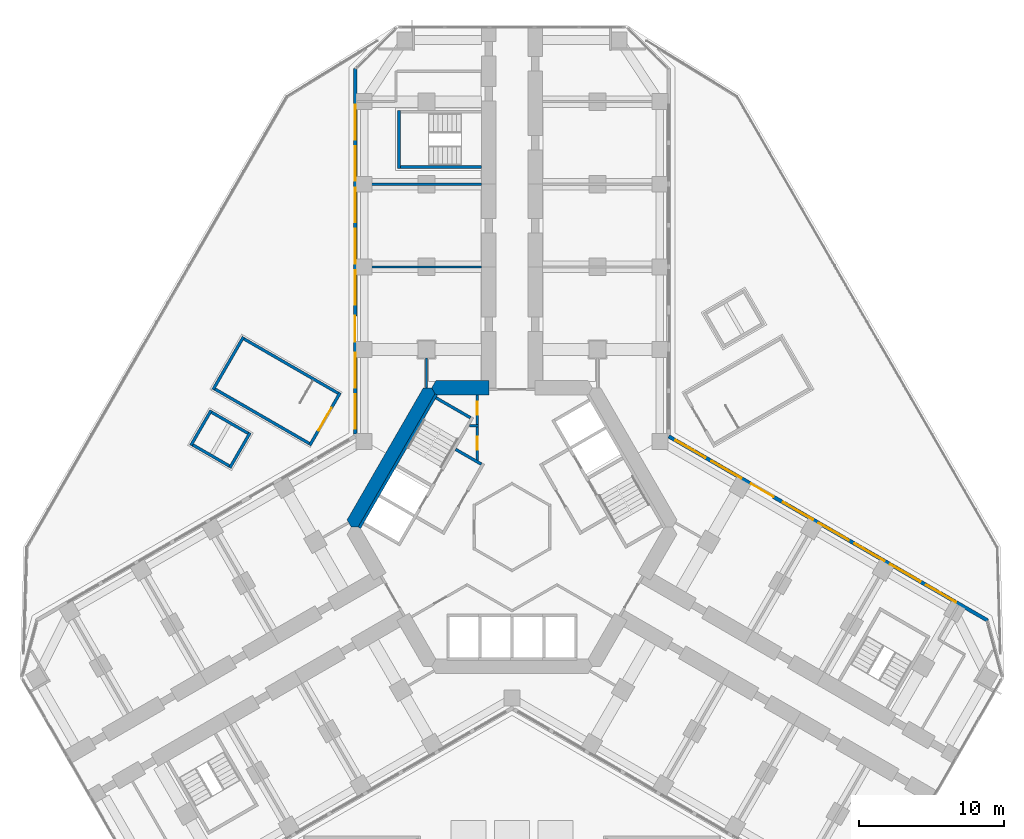
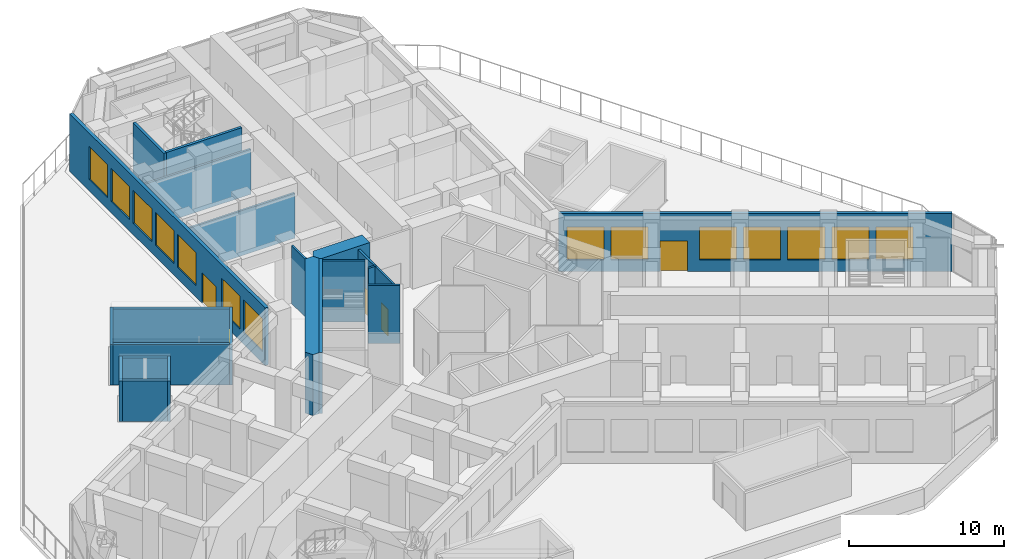
# One storey, part 13 of 18: 22 walls, 14 windows, 5 doors, 19 openings.
"""IFC4 building model written with IfcOpenShell, lengths in metres."""

from ifc_helpers import new_model, si_unit, direction, frame, frame_2d, origin, place, context, subcontext, project, spatial, polyline, rectangle, outline, extrude, material, layer, layer_set, type_object, element, fill, save


model = new_model("IFC4")

# Units and contexts
model_context = context("Model", 3, precision=1e-05, world=origin(), true_north=direction((0.0, 1.0)))
body_context = subcontext(model_context, "Body", "Model", "MODEL_VIEW")
ifc_project = project(units=[si_unit("LENGTHUNIT", "METRE"), si_unit("AREAUNIT", "SQUARE_METRE"), si_unit("VOLUMEUNIT", "CUBIC_METRE"), si_unit("PLANEANGLEUNIT", "RADIAN"), si_unit("MASSUNIT", "GRAM", prefix="KILO")], contexts=[model_context])

# Site, building, storey
site_placement = place(None, origin())
site = spatial("IfcSite", under=ifc_project, at=site_placement, CompositionType="ELEMENT")
building_placement = place(site_placement, origin())
building = spatial("IfcBuilding", under=site, at=building_placement, Name="Kosmar Iwan School Tower", CompositionType="ELEMENT")
storey_placement = place(building_placement, frame((0.0, 0.0, 20.39990234375)))
storey = spatial("IfcBuildingStorey", under=building, at=storey_placement, Name="L04", CompositionType="ELEMENT", Elevation=20.39990234375)

# Wall, openings, doors
ifc_material_1 = material(Name="Gypsum board on steel studs, fire-rated", Category="steel")
ifc_layer_1 = layer(ifc_material_1, 0.14990234375)
ifc_layer_set_1 = layer_set([ifc_layer_1], Name="Core room partition 150")
wall_type_1 = type_object("IfcWallType", Name="Core room partition 150", PredefinedType="PARTITIONING", material=ifc_layer_set_1)
wall_1_placement = place(storey_placement, frame((-2.39990234375, 9.094970703125, 0.0), z_axis=(0.0, 0.0, 1.0), x_axis=(0.0, -1.0, 0.0)))
wall_1 = element("IfcWall", 1, at=wall_1_placement, inside=storey, type_object=wall_type_1, Name="Core room partition L04-CW1", PredefinedType="PARTITIONING", context=body_context, shape_type="SweptSolid", body=[
    extrude(rectangle(XDim=4.564208984375, YDim=0.14990234375, at=frame_2d((2.2822265625, 0.0))), origin(), (0.0, 0.0, 1.0), 4.550048828125),
])
opening_1_placement = place(wall_1_placement, frame((0.455078125, 0.0, 0.0)))
opening_1 = element("IfcOpeningElement", 2, at=opening_1_placement, cuts=wall_1, Name="Opening D14", PredefinedType="OPENING", context=body_context, shape_type="SweptSolid", body=[
    extrude(rectangle(XDim=0.89990234375, YDim=2.10009765625, at=frame_2d((0.449951171875, 1.050048828125))), frame((0.0, 0.0869140625, 0.0), z_axis=(0.0, -1.0, 0.0), x_axis=(1.0, 0.0, 0.0)), (0.0, 0.0, 1.0), 0.173828125),
])
opening_2_placement = place(wall_1_placement, frame((2.85498046875, 0.0, 0.0)))
opening_2 = element("IfcOpeningElement", 3, at=opening_2_placement, cuts=wall_1, Name="Opening D14", PredefinedType="OPENING", context=body_context, shape_type="SweptSolid", body=[
    extrude(rectangle(XDim=0.89990234375, YDim=2.10009765625, at=frame_2d((0.449951171875, 1.050048828125))), frame((0.0, 0.0869140625, 0.0), z_axis=(0.0, -1.0, 0.0), x_axis=(1.0, 0.0, 0.0)), (0.0, 0.0, 1.0), 0.173828125),
])
ifc_material_2 = material(Name="Timber fire door in steel frame", Category="steel")
door_type_1 = type_object("IfcDoorType", Name="Core room door 900x2100", OperationType="SINGLE_SWING_LEFT", PredefinedType="DOOR", material=ifc_material_2)
door_1_placement = place(opening_1_placement, origin())
door_1 = element("IfcDoor", 4, at=door_1_placement, inside=storey, type_object=door_type_1, Name="Electrical riser and switch room door L04 1", OperationType="SINGLE_SWING_LEFT", OverallHeight=2.10009765625, OverallWidth=0.89990234375, PredefinedType="DOOR", context=body_context, shape_type="SweptSolid", body=[
    extrude(rectangle(XDim=0.89990234375, YDim=2.10009765625, at=frame_2d((0.449951171875, 1.050048828125))), frame((0.0, 0.02490234375, 0.0), z_axis=(0.0, -1.0, 0.0), x_axis=(1.0, 0.0, 0.0)), (0.0, 0.0, 1.0), 0.050048828125),
])
fill(opening_1, door_1)
door_2_placement = place(opening_2_placement, origin())
door_2 = element("IfcDoor", 5, at=door_2_placement, inside=storey, type_object=door_type_1, Name="Plumbing and wet riser door L04 2", OperationType="SINGLE_SWING_RIGHT", OverallHeight=2.10009765625, OverallWidth=0.89990234375, PredefinedType="DOOR", context=body_context, shape_type="SweptSolid", body=[
    extrude(rectangle(XDim=0.89990234375, YDim=2.10009765625, at=frame_2d((0.449951171875, 1.050048828125))), frame((0.0, 0.02490234375, 0.0), z_axis=(0.0, -1.0, 0.0), x_axis=(1.0, 0.0, 0.0)), (0.0, 0.0, 1.0), 0.050048828125),
])
fill(opening_2, door_2)

# Walls
wall_2_placement = place(storey_placement, frame((-2.324951171875, 6.985107421875, 0.0), z_axis=(0.0, 0.0, 1.0), x_axis=(-1.0, 0.0, 0.0)))
element("IfcWall", 6, at=wall_2_placement, inside=storey, type_object=wall_type_1, Name="Core room partition L04-CW2", PredefinedType="PARTITIONING", context=body_context, shape_type="SweptSolid", body=[
    extrude(rectangle(XDim=0.623779296875, YDim=0.14990234375, at=frame_2d((0.31201171875, 0.0))), origin(), (0.0, 0.0, 1.0), 4.550048828125),
])
ifc_material_3 = material(Name="Concrete C50/60", Category="concrete")
ifc_layer_2 = layer(ifc_material_3, 1.0)
ifc_layer_set_2 = layer_set([ifc_layer_2], Name="Core wall 1000")
wall_type_2 = type_object("IfcWallType", Name="Core wall 1000", PredefinedType="SHEAR", material=ifc_layer_set_2)
wall_3_placement = place(storey_placement, origin())
element("IfcWall", 7, at=wall_3_placement, inside=storey, type_object=wall_type_2, Name="Core wall F090b", PredefinedType="SHEAR", context=body_context, shape_type="SweptSolid", body=[
    extrude(outline(polyline([(-5.25390625, 9.10009765625), (-1.60009765625, 9.10009765625), (-1.60009765625, 10.10009765625), (-5.25390625, 10.10009765625), (-5.54248046875, 9.60009765625), (-5.25390625, 9.10009765625)])), origin(), (0.0, 0.0, 1.0), 4.800048828125),
])
wall_4_placement = place(storey_placement, origin())
element("IfcWall", 8, at=wall_4_placement, inside=storey, type_object=wall_type_2, Name="Core wall F150", PredefinedType="SHEAR", context=body_context, shape_type="SweptSolid", body=[
    extrude(outline(polyline([(-11.085205078125, 0.0), (-10.5078125, 0.0), (-5.25390625, 9.10009765625), (-5.54248046875, 9.60009765625), (-6.119873046875, 9.60009765625), (-11.373779296875, 0.5), (-11.085205078125, 0.0)])), origin(), (0.0, 0.0, 1.0), 4.800048828125),
])
ifc_material_4 = material(Name="Concrete C35/45", Category="concrete")
ifc_layer_3 = layer(ifc_material_4, 0.199951171875)
ifc_layer_set_3 = layer_set([ifc_layer_3], Name="Escape stair wall 200")
wall_type_3 = type_object("IfcWallType", Name="Escape stair wall 200", PredefinedType="SHEAR", material=ifc_layer_set_3)
wall_5_placement = place(storey_placement, frame((-2.10009765625, 24.85009765625, 0.0), z_axis=(0.0, 0.0, 1.0), x_axis=(-1.0, 0.0, 0.0)))
element("IfcWall", 9, at=wall_5_placement, inside=storey, type_object=wall_type_3, Name="Stair WS1 wall", PredefinedType="SHEAR", context=body_context, shape_type="SweptSolid", body=[
    extrude(rectangle(XDim=5.7998046875, YDim=0.199951171875, at=frame_2d((2.89990234375, 0.0))), origin(), (0.0, 0.0, 1.0), 4.530029296875),
])
wall_6_placement = place(storey_placement, frame((-7.800048828125, 24.75, 0.0), z_axis=(0.0, 0.0, 1.0), x_axis=(0.0, 1.0, 0.0)))
element("IfcWall", 10, at=wall_6_placement, inside=storey, type_object=wall_type_3, Name="Stair WS1 wall", PredefinedType="SHEAR", context=body_context, shape_type="SweptSolid", body=[
    extrude(rectangle(XDim=4.0, YDim=0.199951171875, at=frame_2d((2.0, 0.0))), origin(), (0.0, 0.0, 1.0), 4.530029296875),
])

# Wall, openings, door, windows
ifc_material_5 = material(Name="Black aluminium rainscreen on insulated framing", Category="aluminium")
ifc_layer_4 = layer(ifc_material_5, 0.25)
ifc_layer_set_4 = layer_set([ifc_layer_4], Name="External wall rainscreen 250")
wall_type_4 = type_object("IfcWallType", Name="External wall rainscreen 250", PredefinedType="SOLIDWALL", material=ifc_layer_set_4)
wall_7_placement = place(storey_placement, frame((10.8125, 6.257080078125, 0.0), z_axis=(0.0, 0.0, 1.0), x_axis=(0.86602648281, -0.499998131069, 0.0)))
wall_7 = element("IfcWall", 11, at=wall_7_placement, inside=storey, type_object=wall_type_4, Name="External wall CL L04", PredefinedType="SOLIDWALL", context=body_context, shape_type="SweptSolid", body=[
    extrude(rectangle(XDim=25.39990234375, YDim=0.25, at=frame_2d((12.699951171875, 0.0))), origin(), (0.0, 0.0, 1.0), 4.550048828125),
])
opening_3_placement = place(wall_7_placement, frame((0.53955078125, 0.0, 0.89990234375)))
opening_3 = element("IfcOpeningElement", 12, at=opening_3_placement, cuts=wall_7, Name="Opening W2", PredefinedType="OPENING", context=body_context, shape_type="SweptSolid", body=[
    extrude(rectangle(XDim=2.39990234375, YDim=2.60009765625, at=frame_2d((1.199951171875, 1.300048828125))), frame((0.0, 0.136962890625, 0.0), z_axis=(0.0, -1.0, 0.0), x_axis=(1.0, 0.0, 0.0)), (0.0, 0.0, 1.0), 0.27392578125),
])
opening_4_placement = place(wall_7_placement, frame((3.3896484375, 0.0, 0.89990234375)))
opening_4 = element("IfcOpeningElement", 13, at=opening_4_placement, cuts=wall_7, Name="Opening W2", PredefinedType="OPENING", context=body_context, shape_type="SweptSolid", body=[
    extrude(rectangle(XDim=2.39990234375, YDim=2.60009765625, at=frame_2d((1.199951171875, 1.300048828125))), frame((0.0, 0.136962890625, 0.0), z_axis=(0.0, -1.0, 0.0), x_axis=(1.0, 0.0, 0.0)), (0.0, 0.0, 1.0), 0.27392578125),
])
opening_5_placement = place(wall_7_placement, frame((6.53955078125, 0.0, 0.0)))
opening_5 = element("IfcOpeningElement", 14, at=opening_5_placement, cuts=wall_7, Name="Opening D12", PredefinedType="OPENING", context=body_context, shape_type="SweptSolid", body=[
    extrude(rectangle(XDim=1.800048828125, YDim=2.39990234375, at=frame_2d((0.89990234375, 1.199951171875))), frame((0.0, 0.136962890625, 0.0), z_axis=(0.0, -1.0, 0.0), x_axis=(1.0, 0.0, 0.0)), (0.0, 0.0, 1.0), 0.27392578125),
])
opening_6_placement = place(wall_7_placement, frame((9.089599609375, 0.0, 0.89990234375)))
opening_6 = element("IfcOpeningElement", 15, at=opening_6_placement, cuts=wall_7, Name="Opening W2", PredefinedType="OPENING", context=body_context, shape_type="SweptSolid", body=[
    extrude(rectangle(XDim=2.39990234375, YDim=2.60009765625, at=frame_2d((1.199951171875, 1.300048828125))), frame((0.0, 0.136962890625, 0.0), z_axis=(0.0, -1.0, 0.0), x_axis=(1.0, 0.0, 0.0)), (0.0, 0.0, 1.0), 0.27392578125),
])
opening_7_placement = place(wall_7_placement, frame((11.939697265625, 0.0, 0.89990234375)))
opening_7 = element("IfcOpeningElement", 16, at=opening_7_placement, cuts=wall_7, Name="Opening W2", PredefinedType="OPENING", context=body_context, shape_type="SweptSolid", body=[
    extrude(rectangle(XDim=2.39990234375, YDim=2.60009765625, at=frame_2d((1.199951171875, 1.300048828125))), frame((0.0, 0.136962890625, 0.0), z_axis=(0.0, -1.0, 0.0), x_axis=(1.0, 0.0, 0.0)), (0.0, 0.0, 1.0), 0.27392578125),
])
opening_8_placement = place(wall_7_placement, frame((14.78955078125, 0.0, 0.89990234375)))
opening_8 = element("IfcOpeningElement", 17, at=opening_8_placement, cuts=wall_7, Name="Opening W2", PredefinedType="OPENING", context=body_context, shape_type="SweptSolid", body=[
    extrude(rectangle(XDim=2.39990234375, YDim=2.60009765625, at=frame_2d((1.199951171875, 1.300048828125))), frame((0.0, 0.136962890625, 0.0), z_axis=(0.0, -1.0, 0.0), x_axis=(1.0, 0.0, 0.0)), (0.0, 0.0, 1.0), 0.27392578125),
])
opening_9_placement = place(wall_7_placement, frame((17.6396484375, 0.0, 0.89990234375)))
opening_9 = element("IfcOpeningElement", 18, at=opening_9_placement, cuts=wall_7, Name="Opening W2", PredefinedType="OPENING", context=body_context, shape_type="SweptSolid", body=[
    extrude(rectangle(XDim=2.39990234375, YDim=2.60009765625, at=frame_2d((1.199951171875, 1.300048828125))), frame((0.0, 0.136962890625, 0.0), z_axis=(0.0, -1.0, 0.0), x_axis=(1.0, 0.0, 0.0)), (0.0, 0.0, 1.0), 0.27392578125),
])
opening_10_placement = place(wall_7_placement, frame((20.48974609375, 0.0, 0.89990234375)))
opening_10 = element("IfcOpeningElement", 19, at=opening_10_placement, cuts=wall_7, Name="Opening W2", PredefinedType="OPENING", context=body_context, shape_type="SweptSolid", body=[
    extrude(rectangle(XDim=2.39990234375, YDim=2.60009765625, at=frame_2d((1.199951171875, 1.300048828125))), frame((0.0, 0.136962890625, 0.0), z_axis=(0.0, -1.0, 0.0), x_axis=(1.0, 0.0, 0.0)), (0.0, 0.0, 1.0), 0.27392578125),
])
ifc_material_6 = material(Name="Black steel framed glazed door", Category="steel")
door_type_2 = type_object("IfcDoorType", Name="Deck door pair 1800x2400", OperationType="DOUBLE_DOOR_SINGLE_SWING", PredefinedType="DOOR", material=ifc_material_6)
door_3_placement = place(opening_5_placement, origin())
door_3 = element("IfcDoor", 20, at=door_3_placement, inside=storey, type_object=door_type_2, Name="Play deck door CL", OperationType="DOUBLE_DOOR_SINGLE_SWING", OverallHeight=2.39990234375, OverallWidth=1.800048828125, PredefinedType="DOOR", context=body_context, shape_type="SweptSolid", body=[
    extrude(rectangle(XDim=1.800048828125, YDim=2.39990234375, at=frame_2d((0.89990234375, 1.199951171875))), frame((0.0, 0.02490234375, 0.0), z_axis=(0.0, -1.0, 0.0), x_axis=(1.0, 0.0, 0.0)), (0.0, 0.0, 1.0), 0.050048828125),
])
fill(opening_5, door_3)
ifc_material_7 = material(Name="Black aluminium frame with dark triple glazing", Category="aluminium")
window_type = type_object("IfcWindowType", Name="Window 2400x2600", PartitioningType="SINGLE_PANEL", PredefinedType="WINDOW", material=ifc_material_7)
window_1_placement = place(opening_3_placement, origin())
window_1 = element("IfcWindow", 21, at=window_1_placement, inside=storey, type_object=window_type, Name="Window CL L04 -1", OverallHeight=2.60009765625, OverallWidth=2.39990234375, PartitioningType="SINGLE_PANEL", PredefinedType="WINDOW", context=body_context, shape_type="SweptSolid", body=[
    extrude(rectangle(XDim=2.39990234375, YDim=2.60009765625, at=frame_2d((1.199951171875, 1.300048828125))), frame((0.0, 0.030029296875, 0.0), z_axis=(0.0, -1.0, 0.0), x_axis=(1.0, 0.0, 0.0)), (0.0, 0.0, 1.0), 0.06005859375),
])
fill(opening_3, window_1)
window_2_placement = place(opening_4_placement, origin())
window_2 = element("IfcWindow", 22, at=window_2_placement, inside=storey, type_object=window_type, Name="Window CL L04 0", OverallHeight=2.60009765625, OverallWidth=2.39990234375, PartitioningType="SINGLE_PANEL", PredefinedType="WINDOW", context=body_context, shape_type="SweptSolid", body=[
    extrude(rectangle(XDim=2.39990234375, YDim=2.60009765625, at=frame_2d((1.199951171875, 1.300048828125))), frame((0.0, 0.030029296875, 0.0), z_axis=(0.0, -1.0, 0.0), x_axis=(1.0, 0.0, 0.0)), (0.0, 0.0, 1.0), 0.06005859375),
])
fill(opening_4, window_2)
window_3_placement = place(opening_6_placement, origin())
window_3 = element("IfcWindow", 23, at=window_3_placement, inside=storey, type_object=window_type, Name="Window CL L04 2", OverallHeight=2.60009765625, OverallWidth=2.39990234375, PartitioningType="SINGLE_PANEL", PredefinedType="WINDOW", context=body_context, shape_type="SweptSolid", body=[
    extrude(rectangle(XDim=2.39990234375, YDim=2.60009765625, at=frame_2d((1.199951171875, 1.300048828125))), frame((0.0, 0.030029296875, 0.0), z_axis=(0.0, -1.0, 0.0), x_axis=(1.0, 0.0, 0.0)), (0.0, 0.0, 1.0), 0.06005859375),
])
fill(opening_6, window_3)
window_4_placement = place(opening_7_placement, origin())
window_4 = element("IfcWindow", 24, at=window_4_placement, inside=storey, type_object=window_type, Name="Window CL L04 3", OverallHeight=2.60009765625, OverallWidth=2.39990234375, PartitioningType="SINGLE_PANEL", PredefinedType="WINDOW", context=body_context, shape_type="SweptSolid", body=[
    extrude(rectangle(XDim=2.39990234375, YDim=2.60009765625, at=frame_2d((1.199951171875, 1.300048828125))), frame((0.0, 0.030029296875, 0.0), z_axis=(0.0, -1.0, 0.0), x_axis=(1.0, 0.0, 0.0)), (0.0, 0.0, 1.0), 0.06005859375),
])
fill(opening_7, window_4)
window_5_placement = place(opening_8_placement, origin())
window_5 = element("IfcWindow", 25, at=window_5_placement, inside=storey, type_object=window_type, Name="Window CL L04 4", OverallHeight=2.60009765625, OverallWidth=2.39990234375, PartitioningType="SINGLE_PANEL", PredefinedType="WINDOW", context=body_context, shape_type="SweptSolid", body=[
    extrude(rectangle(XDim=2.39990234375, YDim=2.60009765625, at=frame_2d((1.199951171875, 1.300048828125))), frame((0.0, 0.030029296875, 0.0), z_axis=(0.0, -1.0, 0.0), x_axis=(1.0, 0.0, 0.0)), (0.0, 0.0, 1.0), 0.06005859375),
])
fill(opening_8, window_5)
window_6_placement = place(opening_9_placement, origin())
window_6 = element("IfcWindow", 26, at=window_6_placement, inside=storey, type_object=window_type, Name="Window CL L04 5", OverallHeight=2.60009765625, OverallWidth=2.39990234375, PartitioningType="SINGLE_PANEL", PredefinedType="WINDOW", context=body_context, shape_type="SweptSolid", body=[
    extrude(rectangle(XDim=2.39990234375, YDim=2.60009765625, at=frame_2d((1.199951171875, 1.300048828125))), frame((0.0, 0.030029296875, 0.0), z_axis=(0.0, -1.0, 0.0), x_axis=(1.0, 0.0, 0.0)), (0.0, 0.0, 1.0), 0.06005859375),
])
fill(opening_9, window_6)
window_7_placement = place(opening_10_placement, origin())
window_7 = element("IfcWindow", 27, at=window_7_placement, inside=storey, type_object=window_type, Name="Window CL L04 6", OverallHeight=2.60009765625, OverallWidth=2.39990234375, PartitioningType="SINGLE_PANEL", PredefinedType="WINDOW", context=body_context, shape_type="SweptSolid", body=[
    extrude(rectangle(XDim=2.39990234375, YDim=2.60009765625, at=frame_2d((1.199951171875, 1.300048828125))), frame((0.0, 0.030029296875, 0.0), z_axis=(0.0, -1.0, 0.0), x_axis=(1.0, 0.0, 0.0)), (0.0, 0.0, 1.0), 0.06005859375),
])
fill(opening_10, window_7)

wall_8_placement = place(storey_placement, frame((-10.824951171875, 6.408935546875, 0.0), z_axis=(0.0, 0.0, 1.0), x_axis=(0.0, 1.0, 0.0)))
wall_8 = element("IfcWall", 28, at=wall_8_placement, inside=storey, type_object=wall_type_4, Name="External wall AL L04", PredefinedType="SOLIDWALL", context=body_context, shape_type="SweptSolid", body=[
    extrude(rectangle(XDim=25.226318359375, YDim=0.25, at=frame_2d((12.61328125, 0.0))), origin(), (0.0, 0.0, 1.0), 4.550048828125),
])
opening_11_placement = place(wall_8_placement, frame((0.365966796875, 0.0, 0.89990234375)))
opening_11 = element("IfcOpeningElement", 29, at=opening_11_placement, cuts=wall_8, Name="Opening W2", PredefinedType="OPENING", context=body_context, shape_type="SweptSolid", body=[
    extrude(rectangle(XDim=2.39990234375, YDim=2.60009765625, at=frame_2d((1.199951171875, 1.300048828125))), frame((0.0, 0.136962890625, 0.0), z_axis=(0.0, -1.0, 0.0), x_axis=(1.0, 0.0, 0.0)), (0.0, 0.0, 1.0), 0.27392578125),
])
opening_12_placement = place(wall_8_placement, frame((3.216064453125, 0.0, 0.89990234375)))
opening_12 = element("IfcOpeningElement", 30, at=opening_12_placement, cuts=wall_8, Name="Opening W2", PredefinedType="OPENING", context=body_context, shape_type="SweptSolid", body=[
    extrude(rectangle(XDim=2.39990234375, YDim=2.60009765625, at=frame_2d((1.199951171875, 1.300048828125))), frame((0.0, 0.136962890625, 0.0), z_axis=(0.0, -1.0, 0.0), x_axis=(1.0, 0.0, 0.0)), (0.0, 0.0, 1.0), 0.27392578125),
])
opening_13_placement = place(wall_8_placement, frame((6.365966796875, 0.0, 0.0)))
opening_13 = element("IfcOpeningElement", 31, at=opening_13_placement, cuts=wall_8, Name="Opening D12", PredefinedType="OPENING", context=body_context, shape_type="SweptSolid", body=[
    extrude(rectangle(XDim=1.800048828125, YDim=2.39990234375, at=frame_2d((0.89990234375, 1.199951171875))), frame((0.0, 0.136962890625, 0.0), z_axis=(0.0, -1.0, 0.0), x_axis=(1.0, 0.0, 0.0)), (0.0, 0.0, 1.0), 0.27392578125),
])
opening_14_placement = place(wall_8_placement, frame((8.916015625, 0.0, 0.89990234375)))
opening_14 = element("IfcOpeningElement", 32, at=opening_14_placement, cuts=wall_8, Name="Opening W2", PredefinedType="OPENING", context=body_context, shape_type="SweptSolid", body=[
    extrude(rectangle(XDim=2.39990234375, YDim=2.60009765625, at=frame_2d((1.199951171875, 1.300048828125))), frame((0.0, 0.136962890625, 0.0), z_axis=(0.0, -1.0, 0.0), x_axis=(1.0, 0.0, 0.0)), (0.0, 0.0, 1.0), 0.27392578125),
])
opening_15_placement = place(wall_8_placement, frame((11.76611328125, 0.0, 0.89990234375)))
opening_15 = element("IfcOpeningElement", 33, at=opening_15_placement, cuts=wall_8, Name="Opening W2", PredefinedType="OPENING", context=body_context, shape_type="SweptSolid", body=[
    extrude(rectangle(XDim=2.39990234375, YDim=2.60009765625, at=frame_2d((1.199951171875, 1.300048828125))), frame((0.0, 0.136962890625, 0.0), z_axis=(0.0, -1.0, 0.0), x_axis=(1.0, 0.0, 0.0)), (0.0, 0.0, 1.0), 0.27392578125),
])
opening_16_placement = place(wall_8_placement, frame((14.615966796875, 0.0, 0.89990234375)))
opening_16 = element("IfcOpeningElement", 34, at=opening_16_placement, cuts=wall_8, Name="Opening W2", PredefinedType="OPENING", context=body_context, shape_type="SweptSolid", body=[
    extrude(rectangle(XDim=2.39990234375, YDim=2.60009765625, at=frame_2d((1.199951171875, 1.300048828125))), frame((0.0, 0.136962890625, 0.0), z_axis=(0.0, -1.0, 0.0), x_axis=(1.0, 0.0, 0.0)), (0.0, 0.0, 1.0), 0.27392578125),
])
opening_17_placement = place(wall_8_placement, frame((17.466064453125, 0.0, 0.89990234375)))
opening_17 = element("IfcOpeningElement", 35, at=opening_17_placement, cuts=wall_8, Name="Opening W2", PredefinedType="OPENING", context=body_context, shape_type="SweptSolid", body=[
    extrude(rectangle(XDim=2.39990234375, YDim=2.60009765625, at=frame_2d((1.199951171875, 1.300048828125))), frame((0.0, 0.136962890625, 0.0), z_axis=(0.0, -1.0, 0.0), x_axis=(1.0, 0.0, 0.0)), (0.0, 0.0, 1.0), 0.27392578125),
])
opening_18_placement = place(wall_8_placement, frame((20.31591796875, 0.0, 0.89990234375)))
opening_18 = element("IfcOpeningElement", 36, at=opening_18_placement, cuts=wall_8, Name="Opening W2", PredefinedType="OPENING", context=body_context, shape_type="SweptSolid", body=[
    extrude(rectangle(XDim=2.39990234375, YDim=2.60009765625, at=frame_2d((1.199951171875, 1.300048828125))), frame((0.0, 0.136962890625, 0.0), z_axis=(0.0, -1.0, 0.0), x_axis=(1.0, 0.0, 0.0)), (0.0, 0.0, 1.0), 0.27392578125),
])
door_4_placement = place(opening_13_placement, origin())
door_4 = element("IfcDoor", 37, at=door_4_placement, inside=storey, type_object=door_type_2, Name="Play deck door AL", OperationType="DOUBLE_DOOR_SINGLE_SWING", OverallHeight=2.39990234375, OverallWidth=1.800048828125, PredefinedType="DOOR", context=body_context, shape_type="SweptSolid", body=[
    extrude(rectangle(XDim=1.800048828125, YDim=2.39990234375, at=frame_2d((0.89990234375, 1.199951171875))), frame((0.0, 0.02490234375, 0.0), z_axis=(0.0, -1.0, 0.0), x_axis=(1.0, 0.0, 0.0)), (0.0, 0.0, 1.0), 0.050048828125),
])
fill(opening_13, door_4)
window_8_placement = place(opening_11_placement, origin())
window_8 = element("IfcWindow", 38, at=window_8_placement, inside=storey, type_object=window_type, Name="Window AL L04 -1", OverallHeight=2.60009765625, OverallWidth=2.39990234375, PartitioningType="SINGLE_PANEL", PredefinedType="WINDOW", context=body_context, shape_type="SweptSolid", body=[
    extrude(rectangle(XDim=2.39990234375, YDim=2.60009765625, at=frame_2d((1.199951171875, 1.300048828125))), frame((0.0, 0.030029296875, 0.0), z_axis=(0.0, -1.0, 0.0), x_axis=(1.0, 0.0, 0.0)), (0.0, 0.0, 1.0), 0.06005859375),
])
fill(opening_11, window_8)
window_9_placement = place(opening_12_placement, origin())
window_9 = element("IfcWindow", 39, at=window_9_placement, inside=storey, type_object=window_type, Name="Window AL L04 0", OverallHeight=2.60009765625, OverallWidth=2.39990234375, PartitioningType="SINGLE_PANEL", PredefinedType="WINDOW", context=body_context, shape_type="SweptSolid", body=[
    extrude(rectangle(XDim=2.39990234375, YDim=2.60009765625, at=frame_2d((1.199951171875, 1.300048828125))), frame((0.0, 0.030029296875, 0.0), z_axis=(0.0, -1.0, 0.0), x_axis=(1.0, 0.0, 0.0)), (0.0, 0.0, 1.0), 0.06005859375),
])
fill(opening_12, window_9)
window_10_placement = place(opening_14_placement, origin())
window_10 = element("IfcWindow", 40, at=window_10_placement, inside=storey, type_object=window_type, Name="Window AL L04 2", OverallHeight=2.60009765625, OverallWidth=2.39990234375, PartitioningType="SINGLE_PANEL", PredefinedType="WINDOW", context=body_context, shape_type="SweptSolid", body=[
    extrude(rectangle(XDim=2.39990234375, YDim=2.60009765625, at=frame_2d((1.199951171875, 1.300048828125))), frame((0.0, 0.030029296875, 0.0), z_axis=(0.0, -1.0, 0.0), x_axis=(1.0, 0.0, 0.0)), (0.0, 0.0, 1.0), 0.06005859375),
])
fill(opening_14, window_10)
window_11_placement = place(opening_15_placement, origin())
window_11 = element("IfcWindow", 41, at=window_11_placement, inside=storey, type_object=window_type, Name="Window AL L04 3", OverallHeight=2.60009765625, OverallWidth=2.39990234375, PartitioningType="SINGLE_PANEL", PredefinedType="WINDOW", context=body_context, shape_type="SweptSolid", body=[
    extrude(rectangle(XDim=2.39990234375, YDim=2.60009765625, at=frame_2d((1.199951171875, 1.300048828125))), frame((0.0, 0.030029296875, 0.0), z_axis=(0.0, -1.0, 0.0), x_axis=(1.0, 0.0, 0.0)), (0.0, 0.0, 1.0), 0.06005859375),
])
fill(opening_15, window_11)
window_12_placement = place(opening_16_placement, origin())
window_12 = element("IfcWindow", 42, at=window_12_placement, inside=storey, type_object=window_type, Name="Window AL L04 4", OverallHeight=2.60009765625, OverallWidth=2.39990234375, PartitioningType="SINGLE_PANEL", PredefinedType="WINDOW", context=body_context, shape_type="SweptSolid", body=[
    extrude(rectangle(XDim=2.39990234375, YDim=2.60009765625, at=frame_2d((1.199951171875, 1.300048828125))), frame((0.0, 0.030029296875, 0.0), z_axis=(0.0, -1.0, 0.0), x_axis=(1.0, 0.0, 0.0)), (0.0, 0.0, 1.0), 0.06005859375),
])
fill(opening_16, window_12)
window_13_placement = place(opening_17_placement, origin())
window_13 = element("IfcWindow", 43, at=window_13_placement, inside=storey, type_object=window_type, Name="Window AL L04 5", OverallHeight=2.60009765625, OverallWidth=2.39990234375, PartitioningType="SINGLE_PANEL", PredefinedType="WINDOW", context=body_context, shape_type="SweptSolid", body=[
    extrude(rectangle(XDim=2.39990234375, YDim=2.60009765625, at=frame_2d((1.199951171875, 1.300048828125))), frame((0.0, 0.030029296875, 0.0), z_axis=(0.0, -1.0, 0.0), x_axis=(1.0, 0.0, 0.0)), (0.0, 0.0, 1.0), 0.06005859375),
])
fill(opening_17, window_13)
window_14_placement = place(opening_18_placement, origin())
window_14 = element("IfcWindow", 44, at=window_14_placement, inside=storey, type_object=window_type, Name="Window AL L04 6", OverallHeight=2.60009765625, OverallWidth=2.39990234375, PartitioningType="SINGLE_PANEL", PredefinedType="WINDOW", context=body_context, shape_type="SweptSolid", body=[
    extrude(rectangle(XDim=2.39990234375, YDim=2.60009765625, at=frame_2d((1.199951171875, 1.300048828125))), frame((0.0, 0.030029296875, 0.0), z_axis=(0.0, -1.0, 0.0), x_axis=(1.0, 0.0, 0.0)), (0.0, 0.0, 1.0), 0.06005859375),
])
fill(opening_18, window_14)

# Walls
ifc_material_8 = material(Name="Concrete block masonry", Category="masonry")
ifc_layer_5 = layer(ifc_material_8, 0.199951171875)
ifc_layer_set_5 = layer_set([ifc_layer_5], Name="Fire lobby wall 200")
wall_type_5 = type_object("IfcWallType", Name="Fire lobby wall 200", PredefinedType="PARTITIONING", material=ifc_layer_set_5)
wall_9_placement = place(storey_placement, frame((-2.114013671875, 4.33837890625, 0.0), z_axis=(0.0, 0.0, 1.0), x_axis=(-0.866050731258, 0.499956128963, 0.0)))
element("IfcWall", 45, at=wall_9_placement, inside=storey, type_object=wall_type_5, Name="Firefighting lobby wall ST2", PredefinedType="PARTITIONING", context=body_context, shape_type="SweptSolid", body=[
    extrude(rectangle(XDim=2.050048828125, YDim=0.199951171875, at=frame_2d((1.02490234375, 0.0))), origin(), (0.0, 0.0, 1.0), 4.550048828125),
])
ifc_material_9 = material(Name="Concrete C50/60", Category="concrete")
ifc_layer_6 = layer(ifc_material_9, 0.199951171875)
ifc_layer_set_6 = layer_set([ifc_layer_6], Name="Lift shaft wall 200")
wall_type_6 = type_object("IfcWallType", Name="Lift shaft wall 200", PredefinedType="SHEAR", material=ifc_layer_set_6)
wall_10_placement = place(storey_placement, frame((-5.22509765625, 9.14990234375, 0.0), z_axis=(0.0, 0.0, 1.0), x_axis=(-0.499994998079, -0.866028291626, 0.0)))
element("IfcWall", 46, at=wall_10_placement, inside=storey, type_object=wall_type_6, Name="Lift and stair back wall AB", PredefinedType="SHEAR", context=body_context, shape_type="SweptSolid", body=[
    extrude(rectangle(XDim=10.623046875, YDim=0.199951171875, at=frame_2d((5.3115234375, 0.0))), origin(), (0.0, 0.0, 1.0), 4.800048828125),
])
for number, where, z_axis, x_axis, name in (
    (47, (-18.06787109375, 6.505615234375, 0.0), (0.0, 0.0, 1.0), (-0.49994636267, -0.866056369097, 0.0), "School lift SL2 shaft wall"),
    (48, (-20.75244140625, 8.055419921875, 0.0), (0.0, 0.0, 1.0), (-0.500049511043, -0.865996816683, 0.0), "School lift SL2 shaft wall"),
):
    element("IfcWall", number, at=place(storey_placement, frame(where, z_axis=z_axis, x_axis=x_axis)), inside=storey, type_object=wall_type_6, Name=name, PredefinedType="SHEAR", context=body_context, shape_type="SweptSolid", body=[
        extrude(rectangle(XDim=2.800048828125, YDim=0.199951171875, at=frame_2d((1.39990234375, 0.0))), origin(), (0.0, 0.0, 1.0), 3.2001953125),
    ])
for number, where, z_axis, x_axis, name in (
    (49, (-19.50439453125, 4.21728515625, 0.0), (0.0, 0.0, 1.0), (-0.866032775405, 0.499987231761, 0.0), "School lift SL2 shaft wall"),
    (50, (-18.20458984375, 6.468994140625, 0.0), (0.0, 0.0, 1.0), (-0.866032775405, 0.499987231761, 0.0), "School lift SL2 shaft wall"),
):
    element("IfcWall", number, at=place(storey_placement, frame(where, z_axis=z_axis, x_axis=x_axis)), inside=storey, type_object=wall_type_6, Name=name, PredefinedType="SHEAR", context=body_context, shape_type="SweptSolid", body=[
        extrude(rectangle(XDim=2.89990234375, YDim=0.199951171875, at=frame_2d((1.449951171875, 0.0))), origin(), (0.0, 0.0, 1.0), 3.2001953125),
    ])
ifc_material_10 = material(Name="Gypsum board on steel studs", Category="steel")
ifc_layer_7 = layer(ifc_material_10, 0.14990234375)
ifc_layer_set_7 = layer_set([ifc_layer_7], Name="School partition 150")
wall_type_7 = type_object("IfcWallType", Name="School partition 150", PredefinedType="PARTITIONING", material=ifc_layer_set_7)
wall_11_placement = place(storey_placement, frame((-5.89990234375, 9.60009765625, 0.0), z_axis=(0.0, 0.0, 1.0), x_axis=(0.0, 1.0, 0.0)))
element("IfcWall", 51, at=wall_11_placement, inside=storey, type_object=wall_type_7, Name="Partition L04-AL-NB", PredefinedType="PARTITIONING", context=body_context, shape_type="SweptSolid", body=[
    extrude(rectangle(XDim=2.0498046875, YDim=0.14990234375, at=frame_2d((1.02490234375, 0.0))), origin(), (0.0, 0.0, 1.0), 4.550048828125),
])
for number, where, z_axis, x_axis, name in (
    (52, (-2.10009765625, 17.949951171875, 0.0), (0.0, 0.0, 1.0), (-1.0, 0.0, 0.0), "Partition L04-AL-X1"),
    (53, (-2.10009765625, 23.64990234375, 0.0), (0.0, 0.0, 1.0), (-1.0, 0.0, 0.0), "Partition L04-AL-X2"),
):
    element("IfcWall", number, at=place(storey_placement, frame(where, z_axis=z_axis, x_axis=x_axis)), inside=storey, type_object=wall_type_7, Name=name, PredefinedType="PARTITIONING", context=body_context, shape_type="SweptSolid", body=[
        extrude(rectangle(XDim=8.599853515625, YDim=0.14990234375, at=frame_2d((4.2998046875, 0.0))), origin(), (0.0, 0.0, 1.0), 3.550048828125),
    ])
ifc_material_11 = material(Name="Concrete C50/60", Category="concrete")
ifc_layer_8 = layer(ifc_material_11, 0.199951171875)
ifc_layer_set_8 = layer_set([ifc_layer_8], Name="Stair enclosure wall 200")
wall_type_8 = type_object("IfcWallType", Name="Stair enclosure wall 200", PredefinedType="SHEAR", material=ifc_layer_set_8)
wall_12_placement = place(storey_placement, frame((-2.862548828125, 7.541748046875, 0.0), z_axis=(0.0, 0.0, 1.0), x_axis=(-0.866027397988, 0.499996545922, 0.0)))
element("IfcWall", 54, at=wall_12_placement, inside=storey, type_object=wall_type_8, Name="Stair ST2 wall", PredefinedType="SHEAR", context=body_context, shape_type="SweptSolid", body=[
    extrude(rectangle(XDim=2.75, YDim=0.199951171875, at=frame_2d((1.375, 0.0))), origin(), (0.0, 0.0, 1.0), 4.800048828125),
])
for number, where, z_axis, x_axis, name in (
    (55, (-11.990478515625, 9.23193359375, 0.0), (0.0, 0.0, 1.0), (-0.866008863278, 0.500028647903, 0.0), "School stair SS4 wall"),
    (56, (-13.990478515625, 5.767822265625, 0.0), (0.0, 0.0, 1.0), (-0.866008863278, 0.500028647903, 0.0), "School stair SS4 wall"),
):
    element("IfcWall", number, at=place(storey_placement, frame(where, z_axis=z_axis, x_axis=x_axis)), inside=storey, type_object=wall_type_8, Name=name, PredefinedType="SHEAR", context=body_context, shape_type="SweptSolid", body=[
        extrude(rectangle(XDim=7.5, YDim=0.199951171875, at=frame_2d((3.75, 0.0))), origin(), (0.0, 0.0, 1.0), 3.2001953125),
    ])
wall_13_placement = place(storey_placement, frame((-18.522216796875, 13.11865234375, 0.0), z_axis=(0.0, 0.0, 1.0), x_axis=(-0.49998411664, -0.866034573852, 0.0)))
element("IfcWall", 57, at=wall_13_placement, inside=storey, type_object=wall_type_8, Name="School stair SS4 wall", PredefinedType="SHEAR", context=body_context, shape_type="SweptSolid", body=[
    extrude(rectangle(XDim=4.199951171875, YDim=0.199951171875, at=frame_2d((2.10009765625, 0.0))), origin(), (0.0, 0.0, 1.0), 3.2001953125),
])

# Wall, opening, door
wall_14_placement = place(storey_placement, frame((-11.853759765625, 9.2685546875, 0.0), z_axis=(0.0, 0.0, 1.0), x_axis=(-0.500027713859, -0.866009402589, 0.0)))
wall_14 = element("IfcWall", 58, at=wall_14_placement, inside=storey, type_object=wall_type_8, Name="School stair SS4 wall", PredefinedType="SHEAR", context=body_context, shape_type="SweptSolid", body=[
    extrude(rectangle(XDim=4.199951171875, YDim=0.199951171875, at=frame_2d((2.10009765625, 0.0))), origin(), (0.0, 0.0, 1.0), 3.2001953125),
])
opening_19_placement = place(wall_14_placement, frame((1.199951171875, 0.0, 0.0)))
opening_19 = element("IfcOpeningElement", 59, at=opening_19_placement, cuts=wall_14, Name="Opening D8", PredefinedType="OPENING", context=body_context, shape_type="SweptSolid", body=[
    extrude(rectangle(XDim=1.800048828125, YDim=2.300048828125, at=frame_2d((0.89990234375, 1.14990234375))), frame((0.0, 0.112060546875, 0.0), z_axis=(0.0, -1.0, 0.0), x_axis=(1.0, 0.0, 0.0)), (0.0, 0.0, 1.0), 0.223876953125),
])
ifc_material_12 = material(Name="Steel fire door", Category="steel")
door_type_3 = type_object("IfcDoorType", Name="School stair door pair 1800x2300", OperationType="DOUBLE_DOOR_SINGLE_SWING", PredefinedType="DOOR", material=ifc_material_12)
door_5_placement = place(opening_19_placement, origin())
door_5 = element("IfcDoor", 60, at=door_5_placement, inside=storey, type_object=door_type_3, Name="School stair SS4 door L04", OperationType="DOUBLE_DOOR_SINGLE_SWING", OverallHeight=2.300048828125, OverallWidth=1.800048828125, PredefinedType="DOOR", context=body_context, shape_type="SweptSolid", body=[
    extrude(rectangle(XDim=1.800048828125, YDim=2.300048828125, at=frame_2d((0.89990234375, 1.14990234375))), frame((0.0, 0.02490234375, 0.0), z_axis=(0.0, -1.0, 0.0), x_axis=(1.0, 0.0, 0.0)), (0.0, 0.0, 1.0), 0.050048828125),
])
fill(opening_19, door_5)

save(model, "model.ifc")
